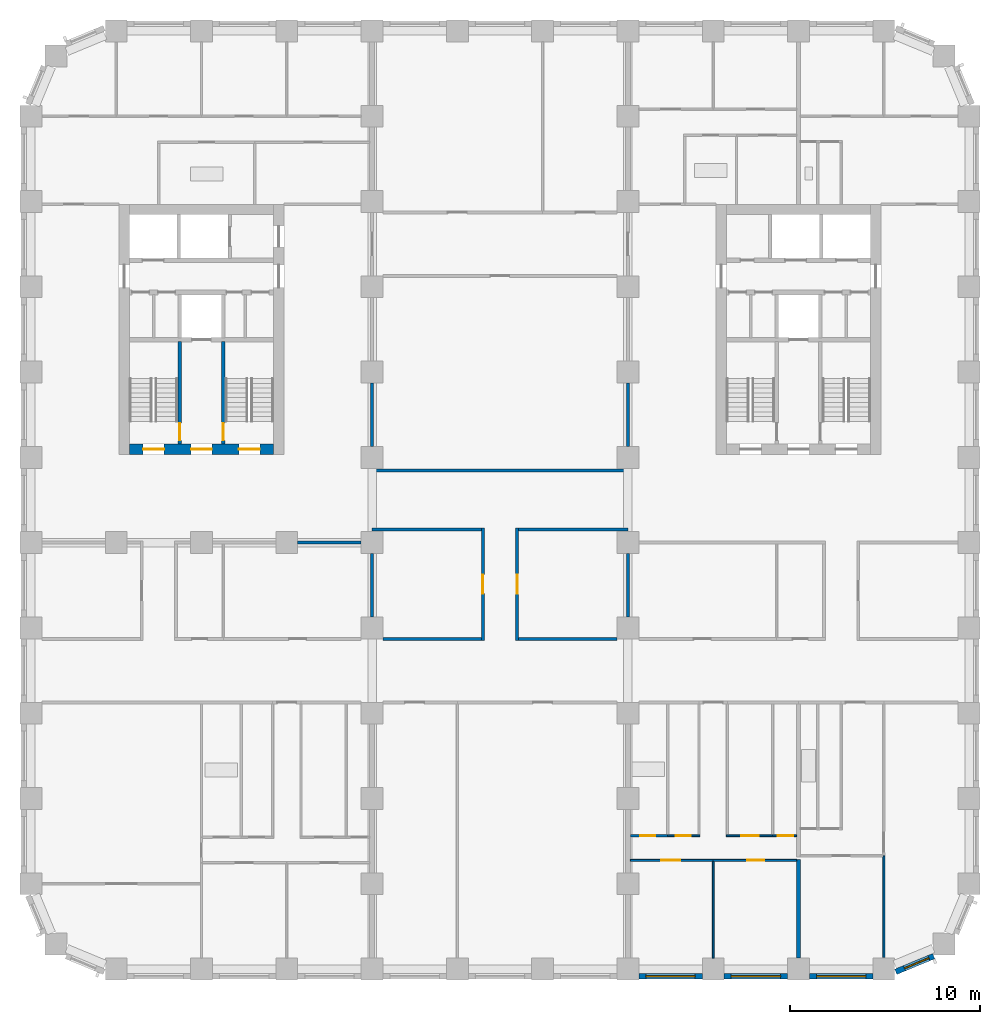
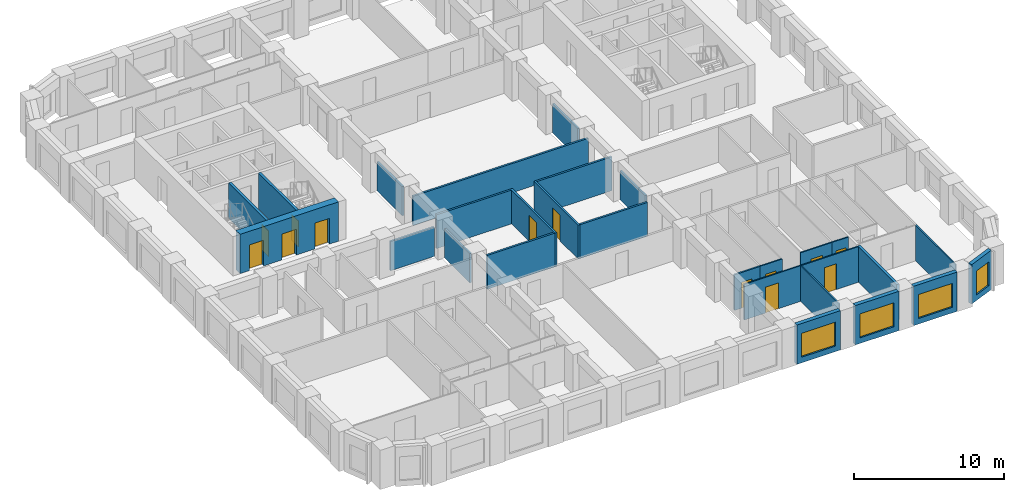
# One storey, part 4 of 12: 28 walls, 13 doors, 4 windows, 17 openings.
"""IFC4 building model written with IfcOpenShell, lengths in metres."""

from ifc_helpers import new_model, si_unit, direction, frame, frame_2d, origin, place, context, subcontext, project, spatial, rectangle, extrude, material, layer, layer_set, type_object, element, fill, save


model = new_model("IFC4")

# Units and contexts
model_context = context("Model", 3, precision=1e-05, world=origin(), true_north=direction((0.0, 1.0)))
body_context = subcontext(model_context, "Body", "Model", "MODEL_VIEW")
ifc_project = project(units=[si_unit("LENGTHUNIT", "METRE"), si_unit("AREAUNIT", "SQUARE_METRE"), si_unit("VOLUMEUNIT", "CUBIC_METRE"), si_unit("PLANEANGLEUNIT", "RADIAN"), si_unit("MASSUNIT", "GRAM", prefix="KILO")], contexts=[model_context])

# Site, building, storey
site_placement = place(None, origin())
site = spatial("IfcSite", under=ifc_project, at=site_placement, CompositionType="ELEMENT")
building_placement = place(site_placement, origin())
building = spatial("IfcBuilding", under=site, at=building_placement, Name="Girih Gate Residences", CompositionType="ELEMENT")
storey_placement = place(building_placement, frame((0.0, 0.0, 112.0)))
storey = spatial("IfcBuildingStorey", under=building, at=storey_placement, Name="L31", CompositionType="ELEMENT", Elevation=112.0)

# Wall, opening, door
ifc_material_1 = material(Name="Gypsum board on steel studs", Category="steel")
ifc_layer_1 = layer(ifc_material_1, 0.14990234375)
ifc_layer_set_1 = layer_set([ifc_layer_1], Name="Compartment wall 150 mm")
wall_type_1 = type_object("IfcWallType", Name="Compartment wall 150 mm", PredefinedType="PARTITIONING", material=ifc_layer_set_1)
wall_1_placement = place(storey_placement, frame((23.85009765625, 17.35009765625, 0.0), z_axis=(0.0, 0.0, 1.0), x_axis=(0.0, 1.0, 0.0)))
wall_1 = element("IfcWall", 1, at=wall_1_placement, inside=storey, type_object=wall_type_1, Name="L31 partition", PredefinedType="PARTITIONING", context=body_context, shape_type="SweptSolid", body=[
    extrude(rectangle(XDim=5.9248046875, YDim=0.14990234375, at=frame_2d((2.96240234375, 0.0))), origin(), (0.0, 0.0, 1.0), 2.75),
])
opening_1_placement = place(wall_1_placement, frame((2.46240234375, 0.0, 0.0)))
opening_1 = element("IfcOpeningElement", 2, at=opening_1_placement, cuts=wall_1, Name="Opening A31-046", PredefinedType="OPENING", context=body_context, shape_type="SweptSolid", body=[
    extrude(rectangle(XDim=1.0, YDim=2.10009765625, at=frame_2d((0.5, 1.050048828125))), frame((0.0, 0.0849609375, 0.0), z_axis=(0.0, -1.0, 0.0), x_axis=(1.0, 0.0, 0.0)), (0.0, 0.0, 1.0), 0.169921875),
])
ifc_material_2 = material(Name="Timber, fire-rated core", Category="wood")
door_type_1 = type_object("IfcDoorType", Name="Amenity room door 1000x2100 FD30S", OperationType="NOTDEFINED", PredefinedType="DOOR", material=ifc_material_2)
door_1_placement = place(opening_1_placement, origin())
door_1 = element("IfcDoor", 3, at=door_1_placement, inside=storey, type_object=door_type_1, Name="Door A31-046", OperationType="SINGLE_SWING_RIGHT", OverallHeight=2.10009765625, OverallWidth=1.0, PredefinedType="DOOR", context=body_context, shape_type="SweptSolid", body=[
    extrude(rectangle(XDim=1.0, YDim=2.10009765625, at=frame_2d((0.5, 1.050048828125))), frame((0.0, 0.02490234375, 0.0), z_axis=(0.0, -1.0, 0.0), x_axis=(1.0, 0.0, 0.0)), (0.0, 0.0, 1.0), 0.050048828125),
])
fill(opening_1, door_1)

wall_2_placement = place(storey_placement, frame((25.64990234375, 23.27490234375, 0.0), z_axis=(0.0, 0.0, 1.0), x_axis=(0.0, -1.0, 0.0)))
wall_2 = element("IfcWall", 4, at=wall_2_placement, inside=storey, type_object=wall_type_1, Name="L31 partition", PredefinedType="PARTITIONING", context=body_context, shape_type="SweptSolid", body=[
    extrude(rectangle(XDim=5.9248046875, YDim=0.14990234375, at=frame_2d((2.96240234375, 0.0))), origin(), (0.0, 0.0, 1.0), 2.75),
])
opening_2_placement = place(wall_2_placement, frame((2.46240234375, 0.0, 0.0)))
opening_2 = element("IfcOpeningElement", 5, at=opening_2_placement, cuts=wall_2, Name="Opening A31-047", PredefinedType="OPENING", context=body_context, shape_type="SweptSolid", body=[
    extrude(rectangle(XDim=1.0, YDim=2.10009765625, at=frame_2d((0.5, 1.050048828125))), frame((0.0, 0.0849609375, 0.0), z_axis=(0.0, -1.0, 0.0), x_axis=(1.0, 0.0, 0.0)), (0.0, 0.0, 1.0), 0.169921875),
])
door_2_placement = place(opening_2_placement, origin())
door_2 = element("IfcDoor", 6, at=door_2_placement, inside=storey, type_object=door_type_1, Name="Door A31-047", OperationType="SINGLE_SWING_RIGHT", OverallHeight=2.10009765625, OverallWidth=1.0, PredefinedType="DOOR", context=body_context, shape_type="SweptSolid", body=[
    extrude(rectangle(XDim=1.0, YDim=2.10009765625, at=frame_2d((0.5, 1.050048828125))), frame((0.0, 0.02490234375, 0.0), z_axis=(0.0, -1.0, 0.0), x_axis=(1.0, 0.0, 0.0)), (0.0, 0.0, 1.0), 0.050048828125),
])
fill(opening_2, door_2)

# Walls
for number, where, z_axis, x_axis, name in (
    (7, (18.574951171875, 17.425048828125, 0.0), (0.0, 0.0, 1.0), (1.0, 0.0, 0.0), "L31 partition"),
    (8, (25.72509765625, 17.425048828125, 0.0), (0.0, 0.0, 1.0), (1.0, 0.0, 0.0), "L31 partition"),
):
    element("IfcWall", number, at=place(storey_placement, frame(where, z_axis=z_axis, x_axis=x_axis)), inside=storey, type_object=wall_type_1, Name=name, PredefinedType="PARTITIONING", context=body_context, shape_type="SweptSolid", body=[
        extrude(rectangle(XDim=5.199951171875, YDim=0.14990234375, at=frame_2d((2.60009765625, 0.0))), origin(), (0.0, 0.0, 1.0), 2.75),
    ])
for number, where, z_axis, x_axis, name in (
    (9, (31.5, 27.574951171875, 0.0), (0.0, 0.0, 1.0), (0.0, 1.0, 0.0), "L31 partition"),
    (10, (18.0, 27.574951171875, 0.0), (0.0, 0.0, 1.0), (0.0, 1.0, 0.0), "L31 partition"),
):
    element("IfcWall", number, at=place(storey_placement, frame(where, z_axis=z_axis, x_axis=x_axis)), inside=storey, type_object=wall_type_1, Name=name, PredefinedType="PARTITIONING", context=body_context, shape_type="SweptSolid", body=[
        extrude(rectangle(XDim=3.35009765625, YDim=0.14990234375, at=frame_2d((1.675048828125, 0.0))), origin(), (0.0, 0.0, 1.0), 2.3798828125),
    ])
wall_3_placement = place(storey_placement, frame((18.0, 26.300048828125, 0.0), z_axis=(0.0, 0.0, 1.0), x_axis=(1.0, 0.0, 0.0)))
element("IfcWall", 11, at=wall_3_placement, inside=storey, type_object=wall_type_1, Name="L31 partition", PredefinedType="PARTITIONING", context=body_context, shape_type="SweptSolid", body=[
    extrude(rectangle(XDim=13.5, YDim=0.14990234375, at=frame_2d((6.75, 0.0))), origin(), (0.0, 0.0, 1.0), 2.3798828125),
])
wall_4_placement = place(storey_placement, frame((18.0, 23.199951171875, 0.0), z_axis=(0.0, 0.0, 1.0), x_axis=(1.0, 0.0, 0.0)))
element("IfcWall", 12, at=wall_4_placement, inside=storey, type_object=wall_type_1, Name="L31 partition", PredefinedType="PARTITIONING", context=body_context, shape_type="SweptSolid", body=[
    extrude(rectangle(XDim=5.77490234375, YDim=0.14990234375, at=frame_2d((2.887451171875, 0.0))), origin(), (0.0, 0.0, 1.0), 2.75),
])
wall_5_placement = place(storey_placement, frame((18.0, 18.574951171875, 0.0), z_axis=(0.0, 0.0, 1.0), x_axis=(0.0, 1.0, 0.0)))
element("IfcWall", 13, at=wall_5_placement, inside=storey, type_object=wall_type_1, Name="L31 partition", PredefinedType="PARTITIONING", context=body_context, shape_type="SweptSolid", body=[
    extrude(rectangle(XDim=3.35009765625, YDim=0.14990234375, at=frame_2d((1.675048828125, 0.0))), origin(), (0.0, 0.0, 1.0), 2.3798828125),
])
wall_6_placement = place(storey_placement, frame((25.72509765625, 23.199951171875, 0.0), z_axis=(0.0, 0.0, 1.0), x_axis=(1.0, 0.0, 0.0)))
element("IfcWall", 14, at=wall_6_placement, inside=storey, type_object=wall_type_1, Name="L31 partition", PredefinedType="PARTITIONING", context=body_context, shape_type="SweptSolid", body=[
    extrude(rectangle(XDim=5.77490234375, YDim=0.14990234375, at=frame_2d((2.887451171875, 0.0))), origin(), (0.0, 0.0, 1.0), 2.75),
])
for number, where, z_axis, x_axis, name in (
    (15, (31.5, 18.574951171875, 0.0), (0.0, 0.0, 1.0), (0.0, 1.0, 0.0), "L31 partition"),
    (16, (14.074951171875, 22.5, 0.0), (0.0, 0.0, 1.0), (1.0, 0.0, 0.0), "L31 partition"),
):
    element("IfcWall", number, at=place(storey_placement, frame(where, z_axis=z_axis, x_axis=x_axis)), inside=storey, type_object=wall_type_1, Name=name, PredefinedType="PARTITIONING", context=body_context, shape_type="SweptSolid", body=[
        extrude(rectangle(XDim=3.35009765625, YDim=0.14990234375, at=frame_2d((1.675048828125, 0.0))), origin(), (0.0, 0.0, 1.0), 2.3798828125),
    ])

# Wall, openings, doors
ifc_material_3 = material(Name="Concrete C60/75", Category="concrete")
ifc_layer_2 = layer(ifc_material_3, 0.550048828125)
ifc_layer_set_2 = layer_set([ifc_layer_2], Name="Core wall RC 550 Concrete C60/75")
wall_type_2 = type_object("IfcWallType", Name="Core wall RC 550 Concrete C60/75", PredefinedType="SOLIDWALL", material=ifc_layer_set_2)
wall_7_placement = place(storey_placement, frame((5.199951171875, 27.425048828125, 0.0), z_axis=(0.0, 0.0, 1.0), x_axis=(1.0, 0.0, 0.0)))
wall_7 = element("IfcWall", 17, at=wall_7_placement, inside=storey, type_object=wall_type_2, Name="Core wall W-S L31", PredefinedType="SOLIDWALL", context=body_context, shape_type="SweptSolid", body=[
    extrude(rectangle(XDim=7.60009765625, YDim=0.550048828125, at=frame_2d((3.800048828125, 0.0))), origin(), (0.0, 0.0, 1.0), 3.199951171875),
])
opening_3_placement = place(wall_7_placement, frame((0.72509765625, 0.0, 0.0)))
opening_3 = element("IfcOpeningElement", 18, at=opening_3_placement, cuts=wall_7, Name="Opening D-L31-W-010", PredefinedType="OPENING", context=body_context, shape_type="SweptSolid", body=[
    extrude(rectangle(XDim=1.10009765625, YDim=2.10009765625, at=frame_2d((0.550048828125, 1.050048828125))), frame((0.0, 0.284912109375, 0.0), z_axis=(0.0, -1.0, 0.0), x_axis=(1.0, 0.0, 0.0)), (0.0, 0.0, 1.0), 0.570068359375),
])
opening_4_placement = place(wall_7_placement, frame((3.25, 0.0, 0.0)))
opening_4 = element("IfcOpeningElement", 19, at=opening_4_placement, cuts=wall_7, Name="Opening D-L31-W-011", PredefinedType="OPENING", context=body_context, shape_type="SweptSolid", body=[
    extrude(rectangle(XDim=1.10009765625, YDim=2.10009765625, at=frame_2d((0.550048828125, 1.050048828125))), frame((0.0, 0.284912109375, 0.0), z_axis=(0.0, -1.0, 0.0), x_axis=(1.0, 0.0, 0.0)), (0.0, 0.0, 1.0), 0.570068359375),
])
opening_5_placement = place(wall_7_placement, frame((5.77490234375, 0.0, 0.0)))
opening_5 = element("IfcOpeningElement", 20, at=opening_5_placement, cuts=wall_7, Name="Opening D-L31-W-012", PredefinedType="OPENING", context=body_context, shape_type="SweptSolid", body=[
    extrude(rectangle(XDim=1.10009765625, YDim=2.10009765625, at=frame_2d((0.550048828125, 1.050048828125))), frame((0.0, 0.284912109375, 0.0), z_axis=(0.0, -1.0, 0.0), x_axis=(1.0, 0.0, 0.0)), (0.0, 0.0, 1.0), 0.570068359375),
])
ifc_material_4 = material(Name="Painted steel, fire-resisting", Category="steel")
door_type_2 = type_object("IfcDoorType", Name="Fire door 1100x2100", OperationType="SINGLE_SWING_LEFT", PredefinedType="DOOR", material=ifc_material_4)
door_3_placement = place(opening_3_placement, origin())
door_3 = element("IfcDoor", 21, at=door_3_placement, inside=storey, type_object=door_type_2, Name="L31 W core door sta-out", OperationType="SINGLE_SWING_LEFT", OverallHeight=2.10009765625, OverallWidth=1.10009765625, PredefinedType="DOOR", context=body_context, shape_type="SweptSolid", body=[
    extrude(rectangle(XDim=1.10009765625, YDim=2.10009765625, at=frame_2d((0.550048828125, 1.050048828125))), frame((0.0, 0.02490234375, 0.0), z_axis=(0.0, -1.0, 0.0), x_axis=(1.0, 0.0, 0.0)), (0.0, 0.0, 1.0), 0.050048828125),
])
fill(opening_3, door_3)
door_4_placement = place(opening_4_placement, origin())
door_4 = element("IfcDoor", 22, at=door_4_placement, inside=storey, type_object=door_type_2, Name="L31 W core door ffl-out", OperationType="SINGLE_SWING_LEFT", OverallHeight=2.10009765625, OverallWidth=1.10009765625, PredefinedType="DOOR", context=body_context, shape_type="SweptSolid", body=[
    extrude(rectangle(XDim=1.10009765625, YDim=2.10009765625, at=frame_2d((0.550048828125, 1.050048828125))), frame((0.0, 0.02490234375, 0.0), z_axis=(0.0, -1.0, 0.0), x_axis=(1.0, 0.0, 0.0)), (0.0, 0.0, 1.0), 0.050048828125),
])
fill(opening_4, door_4)
door_5_placement = place(opening_5_placement, origin())
door_5 = element("IfcDoor", 23, at=door_5_placement, inside=storey, type_object=door_type_2, Name="L31 W core door stb-out", OperationType="SINGLE_SWING_LEFT", OverallHeight=2.10009765625, OverallWidth=1.10009765625, PredefinedType="DOOR", context=body_context, shape_type="SweptSolid", body=[
    extrude(rectangle(XDim=1.10009765625, YDim=2.10009765625, at=frame_2d((0.550048828125, 1.050048828125))), frame((0.0, 0.02490234375, 0.0), z_axis=(0.0, -1.0, 0.0), x_axis=(1.0, 0.0, 0.0)), (0.0, 0.0, 1.0), 0.050048828125),
])
fill(opening_5, door_5)

# Wall
ifc_layer_3 = layer(ifc_material_1, 0.10009765625)
ifc_layer_set_3 = layer_set([ifc_layer_3], Name="Partition 100 mm")
wall_type_3 = type_object("IfcWallType", Name="Partition 100 mm", PredefinedType="PARTITIONING", material=ifc_layer_set_3)
wall_8_placement = place(storey_placement, frame((45.0, 0.622314453125, 0.0), z_axis=(0.0, 0.0, 1.0), x_axis=(0.0, 1.0, 0.0)))
element("IfcWall", 24, at=wall_8_placement, inside=storey, type_object=wall_type_3, Name="L31 partition", PredefinedType="PARTITIONING", context=body_context, shape_type="SweptSolid", body=[
    extrude(rectangle(XDim=5.352783203125, YDim=0.10009765625, at=frame_2d((2.67626953125, 0.0))), origin(), (0.0, 0.0, 1.0), 2.89990234375),
])

# Wall, opening, door
wall_9_placement = place(storey_placement, frame((40.39990234375, 5.735107421875, 0.0), z_axis=(0.0, 0.0, 1.0), x_axis=(-1.0, 0.0, 0.0)))
wall_9 = element("IfcWall", 25, at=wall_9_placement, inside=storey, type_object=wall_type_3, Name="L31 partition", PredefinedType="PARTITIONING", context=body_context, shape_type="SweptSolid", body=[
    extrude(rectangle(XDim=4.39990234375, YDim=0.10009765625, at=frame_2d((2.199951171875, 0.0))), origin(), (0.0, 0.0, 1.0), 2.89990234375),
])
opening_6_placement = place(wall_9_placement, frame((1.699951171875, 0.0, 0.0)))
opening_6 = element("IfcOpeningElement", 26, at=opening_6_placement, cuts=wall_9, Name="Opening A31-023", PredefinedType="OPENING", context=body_context, shape_type="SweptSolid", body=[
    extrude(rectangle(XDim=0.89990234375, YDim=2.10009765625, at=frame_2d((0.449951171875, 1.050048828125))), frame((0.0, 0.06005859375, 0.0), z_axis=(0.0, -1.0, 0.0), x_axis=(1.0, 0.0, 0.0)), (0.0, 0.0, 1.0), 0.1201171875),
])
ifc_material_5 = material(Name="Timber", Category="wood")
door_type_3 = type_object("IfcDoorType", Name="Bedroom door 900x2100", OperationType="NOTDEFINED", PredefinedType="DOOR", material=ifc_material_5)
door_6_placement = place(opening_6_placement, origin())
door_6 = element("IfcDoor", 27, at=door_6_placement, inside=storey, type_object=door_type_3, Name="Door A31-023", OperationType="SINGLE_SWING_LEFT", OverallHeight=2.10009765625, OverallWidth=0.89990234375, PredefinedType="DOOR", context=body_context, shape_type="SweptSolid", body=[
    extrude(rectangle(XDim=0.89990234375, YDim=2.10009765625, at=frame_2d((0.449951171875, 1.050048828125))), frame((0.0, 0.02490234375, 0.0), z_axis=(0.0, -1.0, 0.0), x_axis=(1.0, 0.0, 0.0)), (0.0, 0.0, 1.0), 0.050048828125),
])
fill(opening_6, door_6)

# Wall
wall_10_placement = place(storey_placement, frame((36.0, 0.574951171875, 0.0), z_axis=(0.0, 0.0, 1.0), x_axis=(0.0, 1.0, 0.0)))
element("IfcWall", 28, at=wall_10_placement, inside=storey, type_object=wall_type_3, Name="L31 partition", PredefinedType="PARTITIONING", context=body_context, shape_type="SweptSolid", body=[
    extrude(rectangle(XDim=5.110107421875, YDim=0.10009765625, at=frame_2d((2.55517578125, 0.0))), origin(), (0.0, 0.0, 1.0), 2.89990234375),
])

# Wall, opening, door
wall_11_placement = place(storey_placement, frame((36.699951171875, 7.034912109375, 0.0), z_axis=(0.0, 0.0, 1.0), x_axis=(1.0, 0.0, 0.0)))
wall_11 = element("IfcWall", 29, at=wall_11_placement, inside=storey, type_object=wall_type_3, Name="L31 partition", PredefinedType="PARTITIONING", context=body_context, shape_type="SweptSolid", body=[
    extrude(rectangle(XDim=2.432861328125, YDim=0.10009765625, at=frame_2d((1.21630859375, 0.0))), origin(), (0.0, 0.0, 1.0), 2.89990234375),
])
opening_7_placement = place(wall_11_placement, frame((0.79150390625, 0.0, 0.0)))
opening_7 = element("IfcOpeningElement", 30, at=opening_7_placement, cuts=wall_11, Name="Opening A31-024", PredefinedType="OPENING", context=body_context, shape_type="SweptSolid", body=[
    extrude(rectangle(XDim=0.89990234375, YDim=2.10009765625, at=frame_2d((0.449951171875, 1.050048828125))), frame((0.0, 0.06005859375, 0.0), z_axis=(0.0, -1.0, 0.0), x_axis=(1.0, 0.0, 0.0)), (0.0, 0.0, 1.0), 0.1201171875),
])
door_type_4 = type_object("IfcDoorType", Name="Kitchen door 900x2100", OperationType="NOTDEFINED", PredefinedType="DOOR", material=ifc_material_5)
door_7_placement = place(opening_7_placement, origin())
door_7 = element("IfcDoor", 31, at=door_7_placement, inside=storey, type_object=door_type_4, Name="Door A31-024", OperationType="SINGLE_SWING_RIGHT", OverallHeight=2.10009765625, OverallWidth=0.89990234375, PredefinedType="DOOR", context=body_context, shape_type="SweptSolid", body=[
    extrude(rectangle(XDim=0.89990234375, YDim=2.10009765625, at=frame_2d((0.449951171875, 1.050048828125))), frame((0.0, 0.02490234375, 0.0), z_axis=(0.0, -1.0, 0.0), x_axis=(1.0, 0.0, 0.0)), (0.0, 0.0, 1.0), 0.050048828125),
])
fill(opening_7, door_7)

wall_12_placement = place(storey_placement, frame((36.0, 5.735107421875, 0.0), z_axis=(0.0, 0.0, 1.0), x_axis=(-1.0, 0.0, 0.0)))
wall_12 = element("IfcWall", 32, at=wall_12_placement, inside=storey, type_object=wall_type_3, Name="L31 partition", PredefinedType="PARTITIONING", context=body_context, shape_type="SweptSolid", body=[
    extrude(rectangle(XDim=4.375, YDim=0.10009765625, at=frame_2d((2.1875, 0.0))), origin(), (0.0, 0.0, 1.0), 2.89990234375),
])
opening_8_placement = place(wall_12_placement, frame((1.75, 0.0, 0.0)))
opening_8 = element("IfcOpeningElement", 33, at=opening_8_placement, cuts=wall_12, Name="Opening A31-025", PredefinedType="OPENING", context=body_context, shape_type="SweptSolid", body=[
    extrude(rectangle(XDim=1.0, YDim=2.10009765625, at=frame_2d((0.5, 1.050048828125))), frame((0.0, 0.06005859375, 0.0), z_axis=(0.0, -1.0, 0.0), x_axis=(1.0, 0.0, 0.0)), (0.0, 0.0, 1.0), 0.1201171875),
])
door_type_5 = type_object("IfcDoorType", Name="Living room door 1000x2100", OperationType="NOTDEFINED", PredefinedType="DOOR", material=ifc_material_5)
door_8_placement = place(opening_8_placement, origin())
door_8 = element("IfcDoor", 34, at=door_8_placement, inside=storey, type_object=door_type_5, Name="Door A31-025", OperationType="SINGLE_SWING_RIGHT", OverallHeight=2.10009765625, OverallWidth=1.0, PredefinedType="DOOR", context=body_context, shape_type="SweptSolid", body=[
    extrude(rectangle(XDim=1.0, YDim=2.10009765625, at=frame_2d((0.5, 1.050048828125))), frame((0.0, 0.02490234375, 0.0), z_axis=(0.0, -1.0, 0.0), x_axis=(1.0, 0.0, 0.0)), (0.0, 0.0, 1.0), 0.050048828125),
])
fill(opening_8, door_8)

wall_13_placement = place(storey_placement, frame((39.1328125, 7.034912109375, 0.0), z_axis=(0.0, 0.0, 1.0), x_axis=(1.0, 0.0, 0.0)))
wall_13 = element("IfcWall", 35, at=wall_13_placement, inside=storey, type_object=wall_type_3, Name="L31 partition", PredefinedType="PARTITIONING", context=body_context, shape_type="SweptSolid", body=[
    extrude(rectangle(XDim=1.26708984375, YDim=0.10009765625, at=frame_2d((0.633544921875, 0.0))), origin(), (0.0, 0.0, 1.0), 2.89990234375),
])
opening_9_placement = place(wall_13_placement, frame((0.28369140625, 0.0, 0.0)))
opening_9 = element("IfcOpeningElement", 36, at=opening_9_placement, cuts=wall_13, Name="Opening A31-026", PredefinedType="OPENING", context=body_context, shape_type="SweptSolid", body=[
    extrude(rectangle(XDim=0.800048828125, YDim=2.10009765625, at=frame_2d((0.39990234375, 1.050048828125))), frame((0.0, 0.06005859375, 0.0), z_axis=(0.0, -1.0, 0.0), x_axis=(1.0, 0.0, 0.0)), (0.0, 0.0, 1.0), 0.1201171875),
])
door_type_6 = type_object("IfcDoorType", Name="Store door 800x2100", OperationType="NOTDEFINED", PredefinedType="DOOR", material=ifc_material_5)
door_9_placement = place(opening_9_placement, origin())
door_9 = element("IfcDoor", 37, at=door_9_placement, inside=storey, type_object=door_type_6, Name="Door A31-026", OperationType="SINGLE_SWING_RIGHT", OverallHeight=2.10009765625, OverallWidth=0.800048828125, PredefinedType="DOOR", context=body_context, shape_type="SweptSolid", body=[
    extrude(rectangle(XDim=0.800048828125, YDim=2.10009765625, at=frame_2d((0.39990234375, 1.050048828125))), frame((0.0, 0.02490234375, 0.0), z_axis=(0.0, -1.0, 0.0), x_axis=(1.0, 0.0, 0.0)), (0.0, 0.0, 1.0), 0.050048828125),
])
fill(opening_9, door_9)

wall_14_placement = place(storey_placement, frame((33.591064453125, 7.034912109375, 0.0), z_axis=(0.0, 0.0, 1.0), x_axis=(1.0, 0.0, 0.0)))
wall_14 = element("IfcWall", 38, at=wall_14_placement, inside=storey, type_object=wall_type_3, Name="L31 partition", PredefinedType="PARTITIONING", context=body_context, shape_type="SweptSolid", body=[
    extrude(rectangle(XDim=1.708984375, YDim=0.10009765625, at=frame_2d((0.8544921875, 0.0))), origin(), (0.0, 0.0, 1.0), 2.89990234375),
])
opening_10_placement = place(wall_14_placement, frame((0.429443359375, 0.0, 0.0)))
opening_10 = element("IfcOpeningElement", 39, at=opening_10_placement, cuts=wall_14, Name="Opening A31-027", PredefinedType="OPENING", context=body_context, shape_type="SweptSolid", body=[
    extrude(rectangle(XDim=0.800048828125, YDim=2.10009765625, at=frame_2d((0.39990234375, 1.050048828125))), frame((0.0, 0.06005859375, 0.0), z_axis=(0.0, -1.0, 0.0), x_axis=(1.0, 0.0, 0.0)), (0.0, 0.0, 1.0), 0.1201171875),
])
door_10_placement = place(opening_10_placement, origin())
door_10 = element("IfcDoor", 40, at=door_10_placement, inside=storey, type_object=door_type_6, Name="Door A31-027", OperationType="SINGLE_SWING_LEFT", OverallHeight=2.10009765625, OverallWidth=0.800048828125, PredefinedType="DOOR", context=body_context, shape_type="SweptSolid", body=[
    extrude(rectangle(XDim=0.800048828125, YDim=2.10009765625, at=frame_2d((0.39990234375, 1.050048828125))), frame((0.0, 0.02490234375, 0.0), z_axis=(0.0, -1.0, 0.0), x_axis=(1.0, 0.0, 0.0)), (0.0, 0.0, 1.0), 0.050048828125),
])
fill(opening_10, door_10)

# Wall
ifc_layer_4 = layer(ifc_material_1, 0.199951171875)
ifc_layer_set_4 = layer_set([ifc_layer_4], Name="Party wall 200 mm")
wall_type_4 = type_object("IfcWallType", Name="Party wall 200 mm", PredefinedType="PARTITIONING", material=ifc_layer_set_4)
wall_15_placement = place(storey_placement, frame((40.5, 0.574951171875, 0.0), z_axis=(0.0, 0.0, 1.0), x_axis=(0.0, 1.0, 0.0)))
element("IfcWall", 41, at=wall_15_placement, inside=storey, type_object=wall_type_4, Name="L31 partition", PredefinedType="PARTITIONING", context=body_context, shape_type="SweptSolid", body=[
    extrude(rectangle(XDim=5.2099609375, YDim=0.199951171875, at=frame_2d((2.60498046875, 0.0))), origin(), (0.0, 0.0, 1.0), 2.89990234375),
])

# Wall, opening, window
ifc_material_6 = material(Name="Precast concrete C50/60", Category="concrete")
ifc_layer_5 = layer(ifc_material_6, 0.080078125, Name="Outer leaf")
ifc_material_7 = material(Name="Rigid PIR insulation")
ifc_layer_6 = layer(ifc_material_7, 0.14990234375, Name="Insulation")
ifc_material_8 = material(Name="Precast concrete C40/50", Category="concrete")
ifc_layer_7 = layer(ifc_material_8, 0.070068359375, Name="Inner leaf")
ifc_layer_set_5 = layer_set([ifc_layer_5, ifc_layer_6, ifc_layer_7], Name="Precast concrete C50/60 external wall 300")
wall_type_5 = type_object("IfcWallType", Name="Precast concrete C50/60 external wall 300", PredefinedType="SOLIDWALL", material=ifc_layer_set_5)
wall_16_placement = place(storey_placement, frame((35.425048828125, -0.375, 0.0), z_axis=(0.0, 0.0, 1.0), x_axis=(-1.0, 0.0, 0.0)))
wall_16 = element("IfcWall", 42, at=wall_16_placement, inside=storey, type_object=wall_type_5, Name="External wall S0045_0000.6", PredefinedType="SOLIDWALL", context=body_context, shape_type="SweptSolid", body=[
    extrude(rectangle(XDim=3.35009765625, YDim=0.300048828125, at=frame_2d((1.675048828125, 0.0))), origin(), (0.0, 0.0, 1.0), 3.199951171875),
])
opening_11_placement = place(wall_16_placement, frame((0.375, 0.0, 0.449951171875)))
opening_11 = element("IfcOpeningElement", 43, at=opening_11_placement, cuts=wall_16, Name="Opening W-1A", PredefinedType="OPENING", context=body_context, shape_type="SweptSolid", body=[
    extrude(rectangle(XDim=2.60009765625, YDim=1.949951171875, at=frame_2d((1.300048828125, 0.97509765625))), frame((0.0, 0.159912109375, 0.0), z_axis=(0.0, -1.0, 0.0), x_axis=(1.0, 0.0, 0.0)), (0.0, 0.0, 1.0), 0.320068359375),
])
ifc_material_9 = material(Name="Double glazing in aluminium frame", Category="aluminium")
window_type_1 = type_object("IfcWindowType", Name="Window W-1A 2600x1950", PartitioningType="SINGLE_PANEL", PredefinedType="WINDOW", material=ifc_material_9)
window_1_placement = place(opening_11_placement, origin())
window_1 = element("IfcWindow", 44, at=window_1_placement, inside=storey, type_object=window_type_1, Name="Window W-1A S0045_0000.6", OverallHeight=1.949951171875, OverallWidth=2.60009765625, PartitioningType="SINGLE_PANEL", PredefinedType="WINDOW", context=body_context, shape_type="SweptSolid", body=[
    extrude(rectangle(XDim=2.60009765625, YDim=1.949951171875, at=frame_2d((1.300048828125, 0.97509765625))), frame((0.0, 0.030029296875, 0.0), z_axis=(0.0, -1.0, 0.0), x_axis=(1.0, 0.0, 0.0)), (0.0, 0.0, 1.0), 0.06005859375),
])
fill(opening_11, window_1)

wall_17_placement = place(storey_placement, frame((39.925048828125, -0.375, 0.0), z_axis=(0.0, 0.0, 1.0), x_axis=(-1.0, 0.0, 0.0)))
wall_17 = element("IfcWall", 45, at=wall_17_placement, inside=storey, type_object=wall_type_5, Name="External wall S0045_0000.7", PredefinedType="SOLIDWALL", context=body_context, shape_type="SweptSolid", body=[
    extrude(rectangle(XDim=3.35009765625, YDim=0.300048828125, at=frame_2d((1.675048828125, 0.0))), origin(), (0.0, 0.0, 1.0), 3.199951171875),
])
opening_12_placement = place(wall_17_placement, frame((0.375, 0.0, 0.449951171875)))
opening_12 = element("IfcOpeningElement", 46, at=opening_12_placement, cuts=wall_17, Name="Opening W-1A", PredefinedType="OPENING", context=body_context, shape_type="SweptSolid", body=[
    extrude(rectangle(XDim=2.60009765625, YDim=1.949951171875, at=frame_2d((1.300048828125, 0.97509765625))), frame((0.0, 0.159912109375, 0.0), z_axis=(0.0, -1.0, 0.0), x_axis=(1.0, 0.0, 0.0)), (0.0, 0.0, 1.0), 0.320068359375),
])
window_2_placement = place(opening_12_placement, origin())
window_2 = element("IfcWindow", 47, at=window_2_placement, inside=storey, type_object=window_type_1, Name="Window W-1A S0045_0000.7", OverallHeight=1.949951171875, OverallWidth=2.60009765625, PartitioningType="SINGLE_PANEL", PredefinedType="WINDOW", context=body_context, shape_type="SweptSolid", body=[
    extrude(rectangle(XDim=2.60009765625, YDim=1.949951171875, at=frame_2d((1.300048828125, 0.97509765625))), frame((0.0, 0.030029296875, 0.0), z_axis=(0.0, -1.0, 0.0), x_axis=(1.0, 0.0, 0.0)), (0.0, 0.0, 1.0), 0.06005859375),
])
fill(opening_12, window_2)

wall_18_placement = place(storey_placement, frame((44.425048828125, -0.375, 0.0), z_axis=(0.0, 0.0, 1.0), x_axis=(-1.0, 0.0, 0.0)))
wall_18 = element("IfcWall", 48, at=wall_18_placement, inside=storey, type_object=wall_type_5, Name="External wall S0045_0000.8", PredefinedType="SOLIDWALL", context=body_context, shape_type="SweptSolid", body=[
    extrude(rectangle(XDim=3.35009765625, YDim=0.300048828125, at=frame_2d((1.675048828125, 0.0))), origin(), (0.0, 0.0, 1.0), 3.199951171875),
])
opening_13_placement = place(wall_18_placement, frame((0.375, 0.0, 0.449951171875)))
opening_13 = element("IfcOpeningElement", 49, at=opening_13_placement, cuts=wall_18, Name="Opening W-1A", PredefinedType="OPENING", context=body_context, shape_type="SweptSolid", body=[
    extrude(rectangle(XDim=2.60009765625, YDim=1.949951171875, at=frame_2d((1.300048828125, 0.97509765625))), frame((0.0, 0.159912109375, 0.0), z_axis=(0.0, -1.0, 0.0), x_axis=(1.0, 0.0, 0.0)), (0.0, 0.0, 1.0), 0.320068359375),
])
window_3_placement = place(opening_13_placement, origin())
window_3 = element("IfcWindow", 50, at=window_3_placement, inside=storey, type_object=window_type_1, Name="Window W-1A S0045_0000.8", OverallHeight=1.949951171875, OverallWidth=2.60009765625, PartitioningType="SINGLE_PANEL", PredefinedType="WINDOW", context=body_context, shape_type="SweptSolid", body=[
    extrude(rectangle(XDim=2.60009765625, YDim=1.949951171875, at=frame_2d((1.300048828125, 0.97509765625))), frame((0.0, 0.030029296875, 0.0), z_axis=(0.0, -1.0, 0.0), x_axis=(1.0, 0.0, 0.0)), (0.0, 0.0, 1.0), 0.06005859375),
])
fill(opening_13, window_3)

wall_19_placement = place(storey_placement, frame((47.63134765625, 0.68408203125, 0.0), z_axis=(0.0, 0.0, 1.0), x_axis=(-0.923862802911, -0.382723818695, 0.0)))
wall_19 = element("IfcWall", 51, at=wall_19_placement, inside=storey, type_object=wall_type_5, Name="External wall SE0450_0000.0", PredefinedType="SOLIDWALL", context=body_context, shape_type="SweptSolid", body=[
    extrude(rectangle(XDim=2.163818359375, YDim=0.300048828125, at=frame_2d((1.08203125, 0.0))), origin(), (0.0, 0.0, 1.0), 3.199951171875),
])
opening_14_placement = place(wall_19_placement, frame((0.270751953125, 0.0, 0.449951171875)))
opening_14 = element("IfcOpeningElement", 52, at=opening_14_placement, cuts=wall_19, Name="Opening W-2D", PredefinedType="OPENING", context=body_context, shape_type="SweptSolid", body=[
    extrude(rectangle(XDim=1.39990234375, YDim=1.949951171875, at=frame_2d((0.699951171875, 0.97509765625))), frame((0.0, 0.159912109375, 0.0), z_axis=(0.0, -1.0, 0.0), x_axis=(1.0, 0.0, 0.0)), (0.0, 0.0, 1.0), 0.320068359375),
])
window_type_2 = type_object("IfcWindowType", Name="Window W-2D 1400x1950", PartitioningType="SINGLE_PANEL", PredefinedType="WINDOW", material=ifc_material_9)
window_4_placement = place(opening_14_placement, origin())
window_4 = element("IfcWindow", 53, at=window_4_placement, inside=storey, type_object=window_type_2, Name="Window W-2D SE0450_0000.0", OverallHeight=1.949951171875, OverallWidth=1.39990234375, PartitioningType="SINGLE_PANEL", PredefinedType="WINDOW", context=body_context, shape_type="SweptSolid", body=[
    extrude(rectangle(XDim=1.39990234375, YDim=1.949951171875, at=frame_2d((0.699951171875, 0.97509765625))), frame((0.0, 0.030029296875, 0.0), z_axis=(0.0, -1.0, 0.0), x_axis=(1.0, 0.0, 0.0)), (0.0, 0.0, 1.0), 0.06005859375),
])
fill(opening_14, window_4)

# Wall, opening, door
ifc_material_10 = material(Name="Concrete C40/50", Category="concrete")
ifc_layer_8 = layer(ifc_material_10, 0.199951171875)
ifc_layer_set_6 = layer_set([ifc_layer_8], Name="Shaft wall 200")
wall_type_6 = type_object("IfcWallType", Name="Shaft wall 200", PredefinedType="SOLIDWALL", material=ifc_layer_set_6)
wall_20_placement = place(storey_placement, frame((7.85009765625, 27.699951171875, 0.0), z_axis=(0.0, 0.0, 1.0), x_axis=(0.0, 1.0, 0.0)))
wall_20 = element("IfcWall", 54, at=wall_20_placement, inside=storey, type_object=wall_type_6, Name="L31 W core wall V1a", PredefinedType="SOLIDWALL", context=body_context, shape_type="SweptSolid", body=[
    extrude(rectangle(XDim=5.400146484375, YDim=0.199951171875, at=frame_2d((2.7001953125, 0.0))), origin(), (0.0, 0.0, 1.0), 2.89990234375),
])
opening_15_placement = place(wall_20_placement, frame((0.199951171875, 0.0, 0.0)))
opening_15 = element("IfcOpeningElement", 55, at=opening_15_placement, cuts=wall_20, Name="Opening D-L31-W-001", PredefinedType="OPENING", context=body_context, shape_type="SweptSolid", body=[
    extrude(rectangle(XDim=0.89990234375, YDim=2.10009765625, at=frame_2d((0.449951171875, 1.050048828125))), frame((0.0, 0.10986328125, 0.0), z_axis=(0.0, -1.0, 0.0), x_axis=(1.0, 0.0, 0.0)), (0.0, 0.0, 1.0), 0.219970703125),
])
door_type_7 = type_object("IfcDoorType", Name="Fire door 900x2100", OperationType="SINGLE_SWING_LEFT", PredefinedType="DOOR", material=ifc_material_4)
door_11_placement = place(opening_15_placement, origin())
door_11 = element("IfcDoor", 56, at=door_11_placement, inside=storey, type_object=door_type_7, Name="L31 W door stair 1 to firefighting lobby", OperationType="SINGLE_SWING_LEFT", OverallHeight=2.10009765625, OverallWidth=0.89990234375, PredefinedType="DOOR", context=body_context, shape_type="SweptSolid", body=[
    extrude(rectangle(XDim=0.89990234375, YDim=2.10009765625, at=frame_2d((0.449951171875, 1.050048828125))), frame((0.0, 0.02490234375, 0.0), z_axis=(0.0, -1.0, 0.0), x_axis=(1.0, 0.0, 0.0)), (0.0, 0.0, 1.0), 0.050048828125),
])
fill(opening_15, door_11)

wall_21_placement = place(storey_placement, frame((10.14990234375, 27.699951171875, 0.0), z_axis=(0.0, 0.0, 1.0), x_axis=(0.0, 1.0, 0.0)))
wall_21 = element("IfcWall", 57, at=wall_21_placement, inside=storey, type_object=wall_type_6, Name="L31 W core wall V2a", PredefinedType="SOLIDWALL", context=body_context, shape_type="SweptSolid", body=[
    extrude(rectangle(XDim=5.400146484375, YDim=0.199951171875, at=frame_2d((2.7001953125, 0.0))), origin(), (0.0, 0.0, 1.0), 2.89990234375),
])
opening_16_placement = place(wall_21_placement, frame((0.199951171875, 0.0, 0.0)))
opening_16 = element("IfcOpeningElement", 58, at=opening_16_placement, cuts=wall_21, Name="Opening D-L31-W-002", PredefinedType="OPENING", context=body_context, shape_type="SweptSolid", body=[
    extrude(rectangle(XDim=0.89990234375, YDim=2.10009765625, at=frame_2d((0.449951171875, 1.050048828125))), frame((0.0, 0.10986328125, 0.0), z_axis=(0.0, -1.0, 0.0), x_axis=(1.0, 0.0, 0.0)), (0.0, 0.0, 1.0), 0.219970703125),
])
door_12_placement = place(opening_16_placement, origin())
door_12 = element("IfcDoor", 59, at=door_12_placement, inside=storey, type_object=door_type_7, Name="L31 W door stair 2 to firefighting lobby", OperationType="SINGLE_SWING_LEFT", OverallHeight=2.10009765625, OverallWidth=0.89990234375, PredefinedType="DOOR", context=body_context, shape_type="SweptSolid", body=[
    extrude(rectangle(XDim=0.89990234375, YDim=2.10009765625, at=frame_2d((0.449951171875, 1.050048828125))), frame((0.0, 0.02490234375, 0.0), z_axis=(0.0, -1.0, 0.0), x_axis=(1.0, 0.0, 0.0)), (0.0, 0.0, 1.0), 0.050048828125),
])
fill(opening_16, door_12)

ifc_layer_9 = layer(ifc_material_1, 0.125)
ifc_layer_set_7 = layer_set([ifc_layer_9], Name="Wet room wall 125 mm")
wall_type_7 = type_object("IfcWallType", Name="Wet room wall 125 mm", PredefinedType="PARTITIONING", material=ifc_layer_set_7)
wall_22_placement = place(storey_placement, frame((31.625, 7.034912109375, 0.0), z_axis=(0.0, 0.0, 1.0), x_axis=(1.0, 0.0, 0.0)))
wall_22 = element("IfcWall", 60, at=wall_22_placement, inside=storey, type_object=wall_type_7, Name="L31 partition", PredefinedType="PARTITIONING", context=body_context, shape_type="SweptSolid", body=[
    extrude(rectangle(XDim=1.966064453125, YDim=0.125, at=frame_2d((0.98291015625, 0.0))), origin(), (0.0, 0.0, 1.0), 2.89990234375),
])
opening_17_placement = place(wall_22_placement, frame((0.5205078125, 0.0, 0.0)))
opening_17 = element("IfcOpeningElement", 61, at=opening_17_placement, cuts=wall_22, Name="Opening A31-022", PredefinedType="OPENING", context=body_context, shape_type="SweptSolid", body=[
    extrude(rectangle(XDim=0.800048828125, YDim=2.10009765625, at=frame_2d((0.39990234375, 1.050048828125))), frame((0.0, 0.072509765625, 0.0), z_axis=(0.0, -1.0, 0.0), x_axis=(1.0, 0.0, 0.0)), (0.0, 0.0, 1.0), 0.14501953125),
])
door_type_8 = type_object("IfcDoorType", Name="Bathroom door 800x2100", OperationType="NOTDEFINED", PredefinedType="DOOR", material=ifc_material_5)
door_13_placement = place(opening_17_placement, origin())
door_13 = element("IfcDoor", 62, at=door_13_placement, inside=storey, type_object=door_type_8, Name="Door A31-022", OperationType="SINGLE_SWING_LEFT", OverallHeight=2.10009765625, OverallWidth=0.800048828125, PredefinedType="DOOR", context=body_context, shape_type="SweptSolid", body=[
    extrude(rectangle(XDim=0.800048828125, YDim=2.10009765625, at=frame_2d((0.39990234375, 1.050048828125))), frame((0.0, 0.02490234375, 0.0), z_axis=(0.0, -1.0, 0.0), x_axis=(1.0, 0.0, 0.0)), (0.0, 0.0, 1.0), 0.050048828125),
])
fill(opening_17, door_13)

save(model, "model.ifc")
